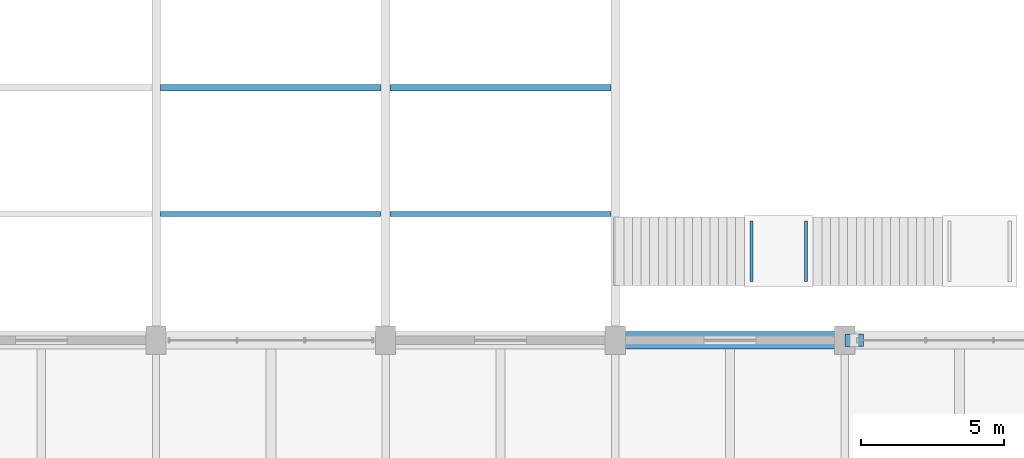
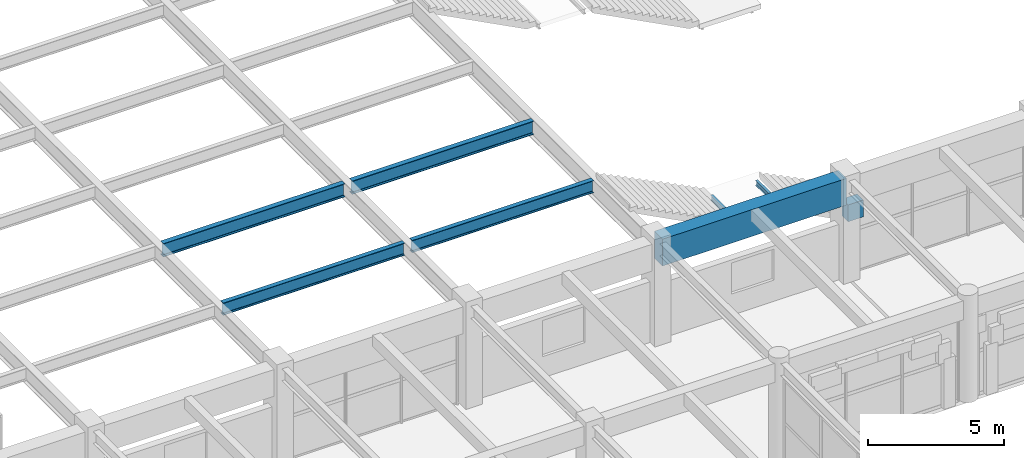
# One storey, part 28 of 144: 8 beams.
"""IFC4 building model written with IfcOpenShell, lengths in metres."""

from ifc_helpers import new_model, si_unit, direction, frame, origin, origin_2d, place, context, subcontext, project, spatial, rectangle, i_section, extrude, material, material_profile, profile_set, type_object, element, save


model = new_model("IFC4")

# Units and contexts
model_context = context("Model", 3, precision=1e-05, world=origin(), true_north=direction((0.0, 1.0)))
body_context = subcontext(model_context, "Body", "Model", "MODEL_VIEW")
ifc_project = project(units=[si_unit("LENGTHUNIT", "METRE"), si_unit("AREAUNIT", "SQUARE_METRE"), si_unit("VOLUMEUNIT", "CUBIC_METRE"), si_unit("PLANEANGLEUNIT", "RADIAN"), si_unit("MASSUNIT", "GRAM", prefix="KILO")], contexts=[model_context])

# Site, building, storey
site_placement = place(None, origin())
site = spatial("IfcSite", under=ifc_project, at=site_placement, CompositionType="ELEMENT")
building_placement = place(site_placement, origin())
building = spatial("IfcBuilding", under=site, at=building_placement, Name="Varnabhumi Central Station", CompositionType="ELEMENT")
storey_placement = place(building_placement, frame((0.0, 0.0, 4.800048828125)))
storey = spatial("IfcBuildingStorey", under=building, at=storey_placement, Name="L01", CompositionType="ELEMENT", Elevation=4.800048828125)

# Beams
ifc_material_1 = material(Name="Structural steel E350", Category="steel")
ifc_material_profile_1 = material_profile(ifc_material_1, i_section(OverallWidth=0.18994140625, OverallDepth=0.550048828125, WebThickness=0.01123046875, FlangeThickness=0.019287109375, FilletRadius=0.01806640625, at=origin_2d()), Name="Structural steel E350", Category="steel")
ifc_profile_set_1 = profile_set([ifc_material_profile_1], Name="Structural steel E350")
beam_type_1 = type_object("IfcBeamType", Name="BM-JST-ISMB550", PredefinedType="JOIST", material=ifc_profile_set_1)
for number, where, z_axis, x_axis, name in (
    (1, (96.155029296875, 40.39990234375, 4.204833984375), (1.0, 0.0, 0.0), (0.0, 1.0, 0.0), "Concourse Stringer 13-14-S1"),
    (2, (104.155029296875, 40.39990234375, 4.204833984375), (1.0, 0.0, 0.0), (0.0, 1.0, 0.0), "Concourse Stringer 14-15-S1"),
):
    element("IfcBeam", number, at=place(storey_placement, frame(where, z_axis=z_axis, x_axis=x_axis)), inside=storey, type_object=beam_type_1, Name=name, PredefinedType="JOIST", context=body_context, shape_type="SweptSolid", body=[
        extrude(i_section(OverallWidth=0.18994140625, OverallDepth=0.550048828125, WebThickness=0.01123046875, FlangeThickness=0.019287109375, FilletRadius=0.01806640625, at=origin_2d()), origin(), (0.0, 0.0, 1.0), 7.68994140625),
    ])
ifc_material_profile_2 = material_profile(ifc_material_1, i_section(OverallWidth=0.2099609375, OverallDepth=0.60009765625, WebThickness=0.011962890625, FlangeThickness=0.020751953125, FilletRadius=0.02001953125, at=origin_2d()), Name="Structural steel E350", Category="steel")
ifc_profile_set_2 = profile_set([ifc_material_profile_2], Name="Structural steel E350")
beam_type_2 = type_object("IfcBeamType", Name="BM-JST-ISMB600", PredefinedType="JOIST", material=ifc_profile_set_2)
for number, where, z_axis, x_axis, name in (
    (3, (96.155029296875, 44.800048828125, 4.179931640625), (1.0, 0.0, 0.0), (0.0, 1.0, 0.0), "Concourse Stringer 13-14-S2"),
    (4, (104.155029296875, 44.800048828125, 4.179931640625), (1.0, 0.0, 0.0), (0.0, 1.0, 0.0), "Concourse Stringer 14-15-S2"),
):
    element("IfcBeam", number, at=place(storey_placement, frame(where, z_axis=z_axis, x_axis=x_axis)), inside=storey, type_object=beam_type_2, Name=name, PredefinedType="JOIST", context=body_context, shape_type="SweptSolid", body=[
        extrude(i_section(OverallWidth=0.2099609375, OverallDepth=0.60009765625, WebThickness=0.011962890625, FlangeThickness=0.020751953125, FilletRadius=0.02001953125, at=origin_2d()), origin(), (0.0, 0.0, 1.0), 7.68994140625),
    ])
ifc_material_2 = material(Name="Concrete M50", Category="concrete")
ifc_material_profile_3 = material_profile(ifc_material_2, rectangle(XDim=0.60009765625, YDim=1.199951171875, at=origin_2d()), Name="Concrete M50", Category="concrete")
ifc_profile_set_3 = profile_set([ifc_material_profile_3], Name="Concrete M50")
beam_type_3 = type_object("IfcBeamType", Name="BM-RC-1200x600", PredefinedType="BEAM", material=ifc_profile_set_3)
beam_1_placement = place(storey_placement, frame((112.10009765625, 36.0, 3.949951171875), z_axis=(1.0, 0.0, 0.0), x_axis=(0.0, 1.0, 0.0)))
element("IfcBeam", 5, at=beam_1_placement, inside=storey, type_object=beam_type_3, Name="Beam L01-E:15-16", PredefinedType="BEAM", context=body_context, shape_type="SweptSolid", body=[
    extrude(rectangle(XDim=0.60009765625, YDim=1.199951171875, at=origin_2d()), origin(), (0.0, 0.0, 1.0), 7.7998046875),
])
ifc_material_3 = material(Name="Concrete M40", Category="concrete")
ifc_material_profile_4 = material_profile(ifc_material_3, rectangle(XDim=0.449951171875, YDim=0.75, at=origin_2d()), Name="Concrete M40", Category="concrete")
ifc_profile_set_4 = profile_set([ifc_material_profile_4], Name="Concrete M40")
beam_type_4 = type_object("IfcBeamType", Name="BM-RC-450x750", PredefinedType="BEAM", material=ifc_profile_set_4)
beam_2_placement = place(storey_placement, frame((120.0, 36.0, 2.89501953125), z_axis=(1.0, 0.0, 0.0), x_axis=(0.0, 1.0, 0.0)))
element("IfcBeam", 6, at=beam_2_placement, inside=storey, type_object=beam_type_4, Name="Movement Joint 650mm Corbel Seat L01-E-16", PredefinedType="BEAM", context=body_context, shape_type="SweptSolid", body=[
    extrude(rectangle(XDim=0.449951171875, YDim=0.75, at=origin_2d()), origin(), (0.0, 0.0, 1.0), 0.64990234375),
])
ifc_material_profile_5 = material_profile(ifc_material_1, i_section(OverallWidth=0.110107421875, OverallDepth=0.22509765625, WebThickness=0.006591796875, FlangeThickness=0.01171875, FilletRadius=0.011962890625, at=origin_2d()), Name="Structural steel E350", Category="steel")
ifc_profile_set_5 = profile_set([ifc_material_profile_5], Name="Structural steel E350")
beam_type_5 = type_object("IfcBeamType", Name="BM-STL-ISMB225", PredefinedType="JOIST", material=ifc_profile_set_5)
for number, where, z_axis, x_axis, name in (
    (7, (116.75, 38.050048828125, 2.107421875), (0.0, 1.0, 0.0), (-1.0, 0.0, 0.0), "Stair Landing Beam P1-p1_l1mid-1"),
    (8, (118.64990234375, 38.050048828125, 2.107421875), (0.0, 1.0, 0.0), (-1.0, 0.0, 0.0), "Stair Landing Beam P1-p1_l1mid-2"),
):
    element("IfcBeam", number, at=place(storey_placement, frame(where, z_axis=z_axis, x_axis=x_axis)), inside=storey, type_object=beam_type_5, Name=name, PredefinedType="JOIST", context=body_context, shape_type="SweptSolid", body=[
        extrude(i_section(OverallWidth=0.110107421875, OverallDepth=0.22509765625, WebThickness=0.006591796875, FlangeThickness=0.01171875, FilletRadius=0.011962890625, at=origin_2d()), origin(), (0.0, 0.0, 1.0), 2.099853515625),
    ])

save(model, "model.ifc")
